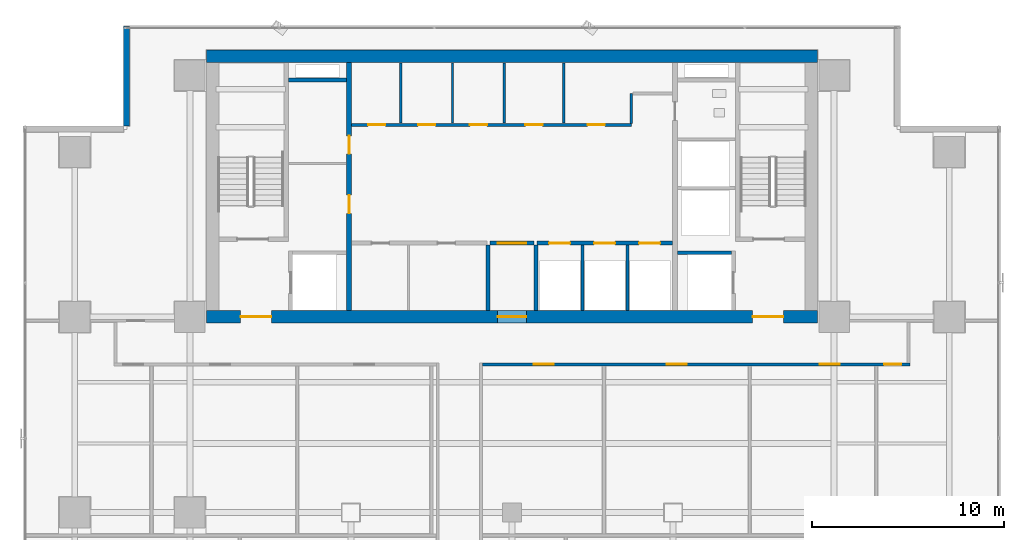
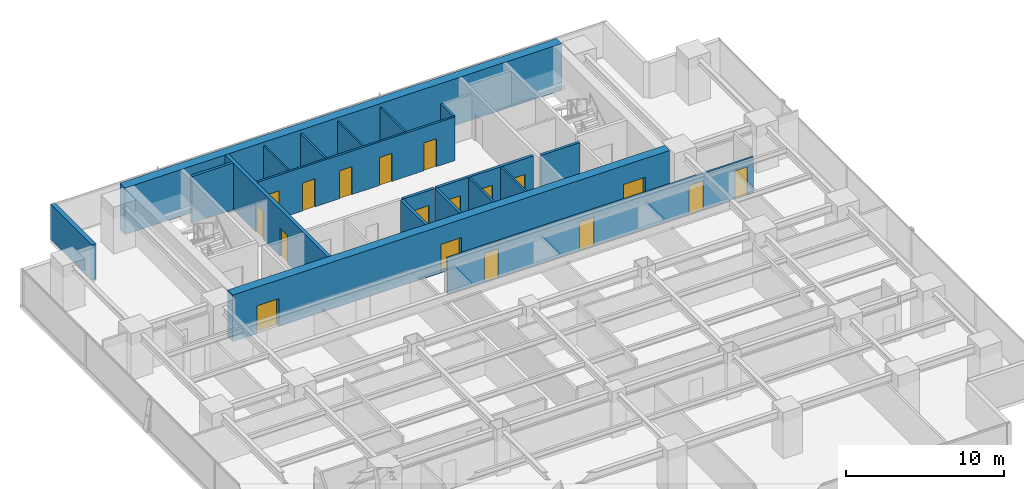
# One storey, part 29 of 37: 19 walls, 18 doors, 18 openings.
"""IFC4 building model written with IfcOpenShell, lengths in metres."""

from ifc_helpers import new_model, si_unit, direction, frame, frame_2d, origin, place, context, subcontext, project, spatial, rectangle, extrude, source, transform, mapped, material, layer, layer_set, type_object, element, fill, save


model = new_model("IFC4")

# Units and contexts
model_context = context("Model", 3, precision=1e-05, world=origin(), true_north=direction((0.0, 1.0)))
body_context = subcontext(model_context, "Body", "Model", "MODEL_VIEW")
ifc_project = project(units=[si_unit("LENGTHUNIT", "METRE"), si_unit("AREAUNIT", "SQUARE_METRE"), si_unit("VOLUMEUNIT", "CUBIC_METRE"), si_unit("PLANEANGLEUNIT", "RADIAN"), si_unit("MASSUNIT", "GRAM", prefix="KILO")], contexts=[model_context])

# Site, building, storey
site_placement = place(None, origin())
site = spatial("IfcSite", under=ifc_project, at=site_placement, CompositionType="ELEMENT")
building_placement = place(site_placement, origin())
building = spatial("IfcBuilding", under=site, at=building_placement, Name="Sumidabori Civic Tower", CompositionType="ELEMENT")
storey_placement = place(building_placement, frame((0.0, 0.0, 95.60009765625)))
storey = spatial("IfcBuildingStorey", under=building, at=storey_placement, Name="L24", CompositionType="ELEMENT", Elevation=95.60009765625)

# Walls
ifc_material_1 = material(Name="Concrete C50/60", Category="concrete")
ifc_layer_1 = layer(ifc_material_1, 0.199951171875, Name="Concrete C50/60")
ifc_layer_set_1 = layer_set([ifc_layer_1], Name="Concrete C50/60")
wall_type_1 = type_object("IfcWallType", Name="WL-SHAFT-200", PredefinedType="SHEAR", material=ifc_layer_set_1)
shared_shape_1 = source(origin(), body_context, "Body", "SweptSolid", [
    extrude(rectangle(XDim=2.824951171875, YDim=0.199951171875, at=frame_2d((1.41259765625, 0.0))), origin(), (0.0, 0.0, 1.0), 3.599853515625),
])
wall_1_placement = place(storey_placement, frame((8.625, 13.550048828125, 0.0), z_axis=(0.0, 0.0, 1.0), x_axis=(1.0, 0.0, 0.0)))
element("IfcWall", 1, at=wall_1_placement, inside=storey, type_object=wall_type_1, Name="Core Shear Wall L24 EL2-N", PredefinedType="SHEAR", context=body_context, shape_type="MappedRepresentation", body=[
    mapped(shared_shape_1, transform((0.0, 0.0, 0.0), x_axis=(1.0, 0.0, 0.0), y_axis=(0.0, 1.0, 0.0), z_axis=(0.0, 0.0, 1.0), scale=1.0)),
])
shared_shape_2 = source(origin(), body_context, "Body", "SweptSolid", [
    extrude(rectangle(XDim=3.02001953125, YDim=0.199951171875, at=frame_2d((1.510009765625, 0.0))), origin(), (0.0, 0.0, 1.0), 3.599853515625),
])
wall_2_placement = place(storey_placement, frame((-11.64501953125, 22.550048828125, 0.0), z_axis=(0.0, 0.0, 1.0), x_axis=(1.0, 0.0, 0.0)))
element("IfcWall", 2, at=wall_2_placement, inside=storey, type_object=wall_type_1, Name="Core Shear Wall L24 RIS1-S", PredefinedType="SHEAR", context=body_context, shape_type="MappedRepresentation", body=[
    mapped(shared_shape_2, transform((0.0, 0.0, 0.0), x_axis=(1.0, 0.0, 0.0), y_axis=(0.0, 1.0, 0.0), z_axis=(0.0, 0.0, 1.0), scale=1.0)),
])
ifc_material_2 = material(Name="Concrete C60/75", Category="concrete")
ifc_layer_2 = layer(ifc_material_2, 0.64990234375, Name="Concrete C60/75")
ifc_layer_set_2 = layer_set([ifc_layer_2], Name="Concrete C60/75")
wall_type_2 = type_object("IfcWallType", Name="WL-CORE-650", PredefinedType="SHEAR", material=ifc_layer_set_2)
shared_shape_3 = source(origin(), body_context, "Body", "SweptSolid", [
    extrude(rectangle(XDim=31.85009765625, YDim=0.64990234375, at=frame_2d((15.925048828125, 0.0))), origin(), (0.0, 0.0, 1.0), 3.599853515625),
])
wall_3_placement = place(storey_placement, frame((-15.925048828125, 23.800048828125, 0.0), z_axis=(0.0, 0.0, 1.0), x_axis=(1.0, 0.0, 0.0)))
element("IfcWall", 3, at=wall_3_placement, inside=storey, type_object=wall_type_2, Name="Core Shear Wall L24 N", PredefinedType="SHEAR", context=body_context, shape_type="MappedRepresentation", body=[
    mapped(shared_shape_3, transform((0.0, 0.0, 0.0), x_axis=(1.0, 0.0, 0.0), y_axis=(0.0, 1.0, 0.0), z_axis=(0.0, 0.0, 1.0), scale=1.0)),
])

# Wall, openings, doors
wall_4_placement = place(storey_placement, frame((-15.925048828125, 10.199951171875, 0.0), z_axis=(0.0, 0.0, 1.0), x_axis=(1.0, 0.0, 0.0)))
wall_4 = element("IfcWall", 4, at=wall_4_placement, inside=storey, type_object=wall_type_2, Name="Core Shear Wall L24 S", PredefinedType="SHEAR", context=body_context, shape_type="MappedRepresentation", body=[
    mapped(shared_shape_3, transform((0.0, 0.0, 0.0), x_axis=(1.0, 0.0, 0.0), y_axis=(0.0, 1.0, 0.0), z_axis=(0.0, 0.0, 1.0), scale=1.0)),
])
opening_1_placement = place(wall_4_placement, frame((1.77490234375, 0.0, 0.0)))
opening_1 = element("IfcOpeningElement", 5, at=opening_1_placement, cuts=wall_4, Name="Opening DR-FD4", PredefinedType="OPENING", context=body_context, shape_type="SweptSolid", body=[
    extrude(rectangle(XDim=1.60009765625, YDim=2.14990234375, at=frame_2d((0.800048828125, 1.074951171875))), frame((0.0, 0.3369140625, 0.0), z_axis=(0.0, -1.0, 0.0), x_axis=(1.0, 0.0, 0.0)), (0.0, 0.0, 1.0), 0.673828125),
])
opening_2_placement = place(wall_4_placement, frame((28.47509765625, 0.0, 0.0)))
opening_2 = element("IfcOpeningElement", 6, at=opening_2_placement, cuts=wall_4, Name="Opening DR-FD4", PredefinedType="OPENING", context=body_context, shape_type="SweptSolid", body=[
    extrude(rectangle(XDim=1.60009765625, YDim=2.14990234375, at=frame_2d((0.800048828125, 1.074951171875))), frame((0.0, 0.3369140625, 0.0), z_axis=(0.0, -1.0, 0.0), x_axis=(1.0, 0.0, 0.0)), (0.0, 0.0, 1.0), 0.673828125),
])
opening_3_placement = place(wall_4_placement, frame((15.175048828125, 0.0, 0.0)))
opening_3 = element("IfcOpeningElement", 7, at=opening_3_placement, cuts=wall_4, Name="Opening DR-FD3", PredefinedType="OPENING", context=body_context, shape_type="SweptSolid", body=[
    extrude(rectangle(XDim=1.5, YDim=2.199951171875, at=frame_2d((0.75, 1.10009765625))), frame((0.0, 0.3369140625, 0.0), z_axis=(0.0, -1.0, 0.0), x_axis=(1.0, 0.0, 0.0)), (0.0, 0.0, 1.0), 0.673828125),
])
ifc_material_3 = material(Name="Steel SN490", Category="steel")
door_type_1 = type_object("IfcDoorType", Name="DR-FD4", OperationType="DOUBLE_DOOR_SINGLE_SWING", PredefinedType="DOOR", material=ifc_material_3)
shared_shape_4 = source(origin(), body_context, "Body", "SweptSolid", [
    extrude(rectangle(XDim=1.60009765625, YDim=2.14990234375, at=frame_2d((0.800048828125, 1.074951171875))), frame((0.0, 0.02490234375, 0.0), z_axis=(0.0, -1.0, 0.0), x_axis=(1.0, 0.0, 0.0)), (0.0, 0.0, 1.0), 0.050048828125),
])
door_1_placement = place(opening_1_placement, origin())
door_1 = element("IfcDoor", 8, at=door_1_placement, inside=storey, type_object=door_type_1, Name="Door DR:L24:ELOB-W", OperationType="DOUBLE_DOOR_SINGLE_SWING", OverallHeight=2.14990234375, OverallWidth=1.60009765625, PredefinedType="DOOR", context=body_context, shape_type="MappedRepresentation", body=[
    mapped(shared_shape_4, transform((0.0, 0.0, 0.0), x_axis=(1.0, 0.0, 0.0), y_axis=(0.0, 1.0, 0.0), z_axis=(0.0, 0.0, 1.0), scale=1.0)),
])
fill(opening_1, door_1)
door_2_placement = place(opening_2_placement, origin())
door_2 = element("IfcDoor", 9, at=door_2_placement, inside=storey, type_object=door_type_1, Name="Door DR:L24:ELOB-E", OperationType="DOUBLE_DOOR_SINGLE_SWING", OverallHeight=2.14990234375, OverallWidth=1.60009765625, PredefinedType="DOOR", context=body_context, shape_type="MappedRepresentation", body=[
    mapped(shared_shape_4, transform((0.0, 0.0, 0.0), x_axis=(1.0, 0.0, 0.0), y_axis=(0.0, 1.0, 0.0), z_axis=(0.0, 0.0, 1.0), scale=1.0)),
])
fill(opening_2, door_2)
door_type_2 = type_object("IfcDoorType", Name="DR-FD-DBL", OperationType="DOUBLE_DOOR_SINGLE_SWING", PredefinedType="DOOR", material=ifc_material_3)
shared_shape_5 = source(origin(), body_context, "Body", "SweptSolid", [
    extrude(rectangle(XDim=1.5, YDim=2.199951171875, at=frame_2d((0.75, 1.10009765625))), frame((0.0, 0.02490234375, 0.0), z_axis=(0.0, -1.0, 0.0), x_axis=(1.0, 0.0, 0.0)), (0.0, 0.0, 1.0), 0.050048828125),
])
door_3_placement = place(opening_3_placement, origin())
door_3 = element("IfcDoor", 10, at=door_3_placement, inside=storey, type_object=door_type_2, Name="Door DR:L24:THROAT-OUT", OperationType="DOUBLE_DOOR_SINGLE_SWING", OverallHeight=2.199951171875, OverallWidth=1.5, PredefinedType="DOOR", context=body_context, shape_type="MappedRepresentation", body=[
    mapped(shared_shape_5, transform((0.0, 0.0, 0.0), x_axis=(1.0, 0.0, 0.0), y_axis=(0.0, 1.0, 0.0), z_axis=(0.0, 0.0, 1.0), scale=1.0)),
])
fill(opening_3, door_3)

ifc_layer_3 = layer(ifc_material_1, 0.25, Name="Concrete C50/60")
ifc_layer_set_3 = layer_set([ifc_layer_3], Name="Concrete C50/60")
wall_type_3 = type_object("IfcWallType", Name="WL-SHAFT-250", PredefinedType="SHEAR", material=ifc_layer_set_3)
shared_shape_6 = source(origin(), body_context, "Body", "SweptSolid", [
    extrude(rectangle(XDim=12.9501953125, YDim=0.25, at=frame_2d((6.47509765625, 0.0))), origin(), (0.0, 0.0, 1.0), 3.599853515625),
])
wall_5_placement = place(storey_placement, frame((-8.5, 10.52490234375, 0.0), z_axis=(0.0, 0.0, 1.0), x_axis=(0.0, 1.0, 0.0)))
wall_5 = element("IfcWall", 11, at=wall_5_placement, inside=storey, type_object=wall_type_3, Name="Core Shear Wall L24 WEB-W", PredefinedType="SHEAR", context=body_context, shape_type="MappedRepresentation", body=[
    mapped(shared_shape_6, transform((0.0, 0.0, 0.0), x_axis=(1.0, 0.0, 0.0), y_axis=(0.0, 1.0, 0.0), z_axis=(0.0, 0.0, 1.0), scale=1.0)),
])
opening_4_placement = place(wall_5_placement, frame((5.074951171875, 0.0, 0.0)))
opening_4 = element("IfcOpeningElement", 12, at=opening_4_placement, cuts=wall_5, Name="Opening DR-FD2", PredefinedType="OPENING", context=body_context, shape_type="SweptSolid", body=[
    extrude(rectangle(XDim=0.949951171875, YDim=2.14990234375, at=frame_2d((0.47509765625, 1.074951171875))), frame((0.0, 0.136962890625, 0.0), z_axis=(0.0, -1.0, 0.0), x_axis=(1.0, 0.0, 0.0)), (0.0, 0.0, 1.0), 0.27392578125),
])
opening_5_placement = place(wall_5_placement, frame((8.175048828125, 0.0, 0.0)))
opening_5 = element("IfcOpeningElement", 13, at=opening_5_placement, cuts=wall_5, Name="Opening DR-FD2", PredefinedType="OPENING", context=body_context, shape_type="SweptSolid", body=[
    extrude(rectangle(XDim=0.949951171875, YDim=2.14990234375, at=frame_2d((0.47509765625, 1.074951171875))), frame((0.0, 0.136962890625, 0.0), z_axis=(0.0, -1.0, 0.0), x_axis=(1.0, 0.0, 0.0)), (0.0, 0.0, 1.0), 0.27392578125),
])
door_type_3 = type_object("IfcDoorType", Name="DR-FD2", OperationType="NOTDEFINED", PredefinedType="DOOR", material=ifc_material_3)
shared_shape_7 = source(origin(), body_context, "Body", "SweptSolid", [
    extrude(rectangle(XDim=0.949951171875, YDim=2.14990234375, at=frame_2d((0.47509765625, 1.074951171875))), frame((0.0, 0.02490234375, 0.0), z_axis=(0.0, -1.0, 0.0), x_axis=(1.0, 0.0, 0.0)), (0.0, 0.0, 1.0), 0.050048828125),
])
door_4_placement = place(opening_4_placement, origin())
door_4 = element("IfcDoor", 14, at=door_4_placement, inside=storey, type_object=door_type_3, Name="Door DR:L24:CW-S1", OperationType="SINGLE_SWING_LEFT", OverallHeight=2.14990234375, OverallWidth=0.949951171875, PredefinedType="DOOR", context=body_context, shape_type="MappedRepresentation", body=[
    mapped(shared_shape_7, transform((0.0, 0.0, 0.0), x_axis=(1.0, 0.0, 0.0), y_axis=(0.0, 1.0, 0.0), z_axis=(0.0, 0.0, 1.0), scale=1.0)),
])
fill(opening_4, door_4)
door_5_placement = place(opening_5_placement, origin())
door_5 = element("IfcDoor", 15, at=door_5_placement, inside=storey, type_object=door_type_3, Name="Door DR:L24:CW-S2", OperationType="SINGLE_SWING_RIGHT", OverallHeight=2.14990234375, OverallWidth=0.949951171875, PredefinedType="DOOR", context=body_context, shape_type="MappedRepresentation", body=[
    mapped(shared_shape_7, transform((0.0, 0.0, 0.0), x_axis=(1.0, 0.0, 0.0), y_axis=(0.0, 1.0, 0.0), z_axis=(0.0, 0.0, 1.0), scale=1.0)),
])
fill(opening_5, door_5)

# Wall
ifc_material_4 = material(Name="Precast concrete C40/50", Category="concrete")
ifc_layer_4 = layer(ifc_material_4, 0.300048828125, Name="Precast concrete C40/50")
ifc_layer_set_4 = layer_set([ifc_layer_4], Name="Precast concrete C40/50")
wall_type_4 = type_object("IfcWallType", Name="WL-EXT-POD300", PredefinedType="STANDARD", material=ifc_layer_set_4)
shared_shape_8 = source(origin(), body_context, "Body", "SweptSolid", [
    extrude(rectangle(XDim=5.2099609375, YDim=0.300048828125, at=frame_2d((2.60498046875, 0.0))), origin(), (0.0, 0.0, 1.0), 2.739990234375),
])
wall_6_placement = place(storey_placement, frame((-20.10009765625, 25.3798828125, 0.0), z_axis=(0.0, 0.0, 1.0), x_axis=(0.0, -1.0, 0.0)))
element("IfcWall", 16, at=wall_6_placement, inside=storey, type_object=wall_type_4, Name="Notched Corner Spandrel Band L24-08", PredefinedType="STANDARD", context=body_context, shape_type="MappedRepresentation", body=[
    mapped(shared_shape_8, transform((0.0, 0.0, 0.0), x_axis=(1.0, 0.0, 0.0), y_axis=(0.0, 1.0, 0.0), z_axis=(0.0, 0.0, 1.0), scale=1.0)),
])

# Wall, openings, doors
ifc_material_5 = material(Name="Gypsum Plasterboard Fire Partition")
ifc_layer_5 = layer(ifc_material_5, 0.199951171875, Name="Gypsum Plasterboard Fire Partition")
ifc_layer_set_5 = layer_set([ifc_layer_5], Name="Gypsum Plasterboard Fire Partition")
wall_type_5 = type_object("IfcWallType", Name="WL-PART-FIRE", PredefinedType="PARTITIONING", material=ifc_layer_set_5)
shared_shape_9 = source(origin(), body_context, "Body", "SweptSolid", [
    extrude(rectangle(XDim=7.070068359375, YDim=0.199951171875, at=frame_2d((3.53515625, 0.0))), origin(), (0.0, 0.0, 1.0), 3.35986328125),
])
wall_7_placement = place(storey_placement, frame((1.300048828125, 14.050048828125, 0.0), z_axis=(0.0, 0.0, 1.0), x_axis=(1.0, 0.0, 0.0)))
wall_7 = element("IfcWall", 17, at=wall_7_placement, inside=storey, type_object=wall_type_5, Name="Interior Partition WL:L24:CBAND-SE", PredefinedType="PARTITIONING", context=body_context, shape_type="MappedRepresentation", body=[
    mapped(shared_shape_9, transform((0.0, 0.0, 0.0), x_axis=(1.0, 0.0, 0.0), y_axis=(0.0, 1.0, 0.0), z_axis=(0.0, 0.0, 1.0), scale=1.0)),
])
opening_6_placement = place(wall_7_placement, frame((0.6298828125, 0.0, 0.0)))
opening_6 = element("IfcOpeningElement", 18, at=opening_6_placement, cuts=wall_7, Name="Opening LD-1", PredefinedType="OPENING", context=body_context, shape_type="SweptSolid", body=[
    extrude(rectangle(XDim=1.10009765625, YDim=2.14990234375, at=frame_2d((0.550048828125, 1.074951171875))), frame((0.0, 0.11181640625, 0.0), z_axis=(0.0, -1.0, 0.0), x_axis=(1.0, 0.0, 0.0)), (0.0, 0.0, 1.0), 0.223876953125),
])
opening_7_placement = place(wall_7_placement, frame((2.97998046875, 0.0, 0.0)))
opening_7 = element("IfcOpeningElement", 19, at=opening_7_placement, cuts=wall_7, Name="Opening LD-1", PredefinedType="OPENING", context=body_context, shape_type="SweptSolid", body=[
    extrude(rectangle(XDim=1.10009765625, YDim=2.14990234375, at=frame_2d((0.550048828125, 1.074951171875))), frame((0.0, 0.11181640625, 0.0), z_axis=(0.0, -1.0, 0.0), x_axis=(1.0, 0.0, 0.0)), (0.0, 0.0, 1.0), 0.223876953125),
])
opening_8_placement = place(wall_7_placement, frame((5.330078125, 0.0, 0.0)))
opening_8 = element("IfcOpeningElement", 20, at=opening_8_placement, cuts=wall_7, Name="Opening LD-1", PredefinedType="OPENING", context=body_context, shape_type="SweptSolid", body=[
    extrude(rectangle(XDim=1.10009765625, YDim=2.14990234375, at=frame_2d((0.550048828125, 1.074951171875))), frame((0.0, 0.11181640625, 0.0), z_axis=(0.0, -1.0, 0.0), x_axis=(1.0, 0.0, 0.0)), (0.0, 0.0, 1.0), 0.223876953125),
])
ifc_material_6 = material(Name="Stainless Steel Hairline Finish", Category="steel")
door_type_4 = type_object("IfcDoorType", Name="DR-LD1", OperationType="DOUBLE_DOOR_SLIDING", PredefinedType="DOOR", material=ifc_material_6)
shared_shape_10 = source(origin(), body_context, "Body", "SweptSolid", [
    extrude(rectangle(XDim=1.10009765625, YDim=2.14990234375, at=frame_2d((0.550048828125, 1.074951171875))), frame((0.0, 0.02490234375, 0.0), z_axis=(0.0, -1.0, 0.0), x_axis=(1.0, 0.0, 0.0)), (0.0, 0.0, 1.0), 0.050048828125),
])
door_6_placement = place(opening_6_placement, origin())
door_6 = element("IfcDoor", 21, at=door_6_placement, inside=storey, type_object=door_type_4, Name="Door DR:L24:LD-PLM1", OperationType="DOUBLE_DOOR_SLIDING", OverallHeight=2.14990234375, OverallWidth=1.10009765625, PredefinedType="DOOR", context=body_context, shape_type="MappedRepresentation", body=[
    mapped(shared_shape_10, transform((0.0, 0.0, 0.0), x_axis=(1.0, 0.0, 0.0), y_axis=(0.0, 1.0, 0.0), z_axis=(0.0, 0.0, 1.0), scale=1.0)),
])
fill(opening_6, door_6)
door_7_placement = place(opening_7_placement, origin())
door_7 = element("IfcDoor", 22, at=door_7_placement, inside=storey, type_object=door_type_4, Name="Door DR:L24:LD-PLM2", OperationType="DOUBLE_DOOR_SLIDING", OverallHeight=2.14990234375, OverallWidth=1.10009765625, PredefinedType="DOOR", context=body_context, shape_type="MappedRepresentation", body=[
    mapped(shared_shape_10, transform((0.0, 0.0, 0.0), x_axis=(1.0, 0.0, 0.0), y_axis=(0.0, 1.0, 0.0), z_axis=(0.0, 0.0, 1.0), scale=1.0)),
])
fill(opening_7, door_7)
door_8_placement = place(opening_8_placement, origin())
door_8 = element("IfcDoor", 23, at=door_8_placement, inside=storey, type_object=door_type_4, Name="Door DR:L24:LD-PLM3", OperationType="DOUBLE_DOOR_SLIDING", OverallHeight=2.14990234375, OverallWidth=1.10009765625, PredefinedType="DOOR", context=body_context, shape_type="MappedRepresentation", body=[
    mapped(shared_shape_10, transform((0.0, 0.0, 0.0), x_axis=(1.0, 0.0, 0.0), y_axis=(0.0, 1.0, 0.0), z_axis=(0.0, 0.0, 1.0), scale=1.0)),
])
fill(opening_8, door_8)

# Wall, opening, door
shared_shape_11 = source(origin(), body_context, "Body", "SweptSolid", [
    extrude(rectangle(XDim=2.2998046875, YDim=0.199951171875, at=frame_2d((1.14990234375, 0.0))), origin(), (0.0, 0.0, 1.0), 3.35986328125),
])
wall_8_placement = place(storey_placement, frame((-1.14990234375, 14.050048828125, 0.0), z_axis=(0.0, 0.0, 1.0), x_axis=(1.0, 0.0, 0.0)))
wall_8 = element("IfcWall", 24, at=wall_8_placement, inside=storey, type_object=wall_type_5, Name="Interior Partition WL:L24:THROAT-N", PredefinedType="PARTITIONING", context=body_context, shape_type="MappedRepresentation", body=[
    mapped(shared_shape_11, transform((0.0, 0.0, 0.0), x_axis=(1.0, 0.0, 0.0), y_axis=(0.0, 1.0, 0.0), z_axis=(0.0, 0.0, 1.0), scale=1.0)),
])
opening_9_placement = place(wall_8_placement, frame((0.39990234375, 0.0, 0.0)))
opening_9 = element("IfcOpeningElement", 25, at=opening_9_placement, cuts=wall_8, Name="Opening DR-FD3", PredefinedType="OPENING", context=body_context, shape_type="SweptSolid", body=[
    extrude(rectangle(XDim=1.5, YDim=2.199951171875, at=frame_2d((0.75, 1.10009765625))), frame((0.0, 0.11181640625, 0.0), z_axis=(0.0, -1.0, 0.0), x_axis=(1.0, 0.0, 0.0)), (0.0, 0.0, 1.0), 0.223876953125),
])
door_9_placement = place(opening_9_placement, origin())
door_9 = element("IfcDoor", 26, at=door_9_placement, inside=storey, type_object=door_type_2, Name="Door DR:L24:THROAT-IN", OperationType="DOUBLE_DOOR_SINGLE_SWING", OverallHeight=2.199951171875, OverallWidth=1.5, PredefinedType="DOOR", context=body_context, shape_type="MappedRepresentation", body=[
    mapped(shared_shape_5, transform((0.0, 0.0, 0.0), x_axis=(1.0, 0.0, 0.0), y_axis=(0.0, 1.0, 0.0), z_axis=(0.0, 0.0, 1.0), scale=1.0)),
])
fill(opening_9, door_9)

# Wall, openings, doors
ifc_material_7 = material(Name="Gypsum Plasterboard Acoustic Partition")
ifc_layer_6 = layer(ifc_material_7, 0.14990234375, Name="Gypsum Plasterboard Acoustic Partition")
ifc_layer_set_6 = layer_set([ifc_layer_6], Name="Gypsum Plasterboard Acoustic Partition")
wall_type_6 = type_object("IfcWallType", Name="WL-PART-150", PredefinedType="PARTITIONING", material=ifc_layer_set_6)
shared_shape_12 = source(origin(), body_context, "Body", "SweptSolid", [
    extrude(rectangle(XDim=14.590087890625, YDim=0.14990234375, at=frame_2d((7.294921875, 0.0))), origin(), (0.0, 0.0, 1.0), 3.35986328125),
])
wall_9_placement = place(storey_placement, frame((-8.3701171875, 20.219970703125, 0.0), z_axis=(0.0, 0.0, 1.0), x_axis=(1.0, 0.0, 0.0)))
wall_9 = element("IfcWall", 27, at=wall_9_placement, inside=storey, type_object=wall_type_6, Name="Interior Partition WL:L24:CBAND-M", PredefinedType="PARTITIONING", context=body_context, shape_type="MappedRepresentation", body=[
    mapped(shared_shape_12, transform((0.0, 0.0, 0.0), x_axis=(1.0, 0.0, 0.0), y_axis=(0.0, 1.0, 0.0), z_axis=(0.0, 0.0, 1.0), scale=1.0)),
])
opening_10_placement = place(wall_9_placement, frame((0.860107421875, 0.0, 0.0)))
opening_10 = element("IfcOpeningElement", 28, at=opening_10_placement, cuts=wall_9, Name="Opening DR-1", PredefinedType="OPENING", context=body_context, shape_type="SweptSolid", body=[
    extrude(rectangle(XDim=0.89990234375, YDim=2.14990234375, at=frame_2d((0.449951171875, 1.074951171875))), frame((0.0, 0.0869140625, 0.0), z_axis=(0.0, -1.0, 0.0), x_axis=(1.0, 0.0, 0.0)), (0.0, 0.0, 1.0), 0.173828125),
])
opening_11_placement = place(wall_9_placement, frame((3.469970703125, 0.0, 0.0)))
opening_11 = element("IfcOpeningElement", 29, at=opening_11_placement, cuts=wall_9, Name="Opening DR-1", PredefinedType="OPENING", context=body_context, shape_type="SweptSolid", body=[
    extrude(rectangle(XDim=0.89990234375, YDim=2.14990234375, at=frame_2d((0.449951171875, 1.074951171875))), frame((0.0, 0.0869140625, 0.0), z_axis=(0.0, -1.0, 0.0), x_axis=(1.0, 0.0, 0.0)), (0.0, 0.0, 1.0), 0.173828125),
])
opening_12_placement = place(wall_9_placement, frame((6.169921875, 0.0, 0.0)))
opening_12 = element("IfcOpeningElement", 30, at=opening_12_placement, cuts=wall_9, Name="Opening DR-1", PredefinedType="OPENING", context=body_context, shape_type="SweptSolid", body=[
    extrude(rectangle(XDim=0.89990234375, YDim=2.14990234375, at=frame_2d((0.449951171875, 1.074951171875))), frame((0.0, 0.0869140625, 0.0), z_axis=(0.0, -1.0, 0.0), x_axis=(1.0, 0.0, 0.0)), (0.0, 0.0, 1.0), 0.173828125),
])
opening_13_placement = place(wall_9_placement, frame((9.070068359375, 0.0, 0.0)))
opening_13 = element("IfcOpeningElement", 31, at=opening_13_placement, cuts=wall_9, Name="Opening DR-1", PredefinedType="OPENING", context=body_context, shape_type="SweptSolid", body=[
    extrude(rectangle(XDim=0.89990234375, YDim=2.14990234375, at=frame_2d((0.449951171875, 1.074951171875))), frame((0.0, 0.0869140625, 0.0), z_axis=(0.0, -1.0, 0.0), x_axis=(1.0, 0.0, 0.0)), (0.0, 0.0, 1.0), 0.173828125),
])
opening_14_placement = place(wall_9_placement, frame((12.320068359375, 0.0, 0.0)))
opening_14 = element("IfcOpeningElement", 32, at=opening_14_placement, cuts=wall_9, Name="Opening DR-1", PredefinedType="OPENING", context=body_context, shape_type="SweptSolid", body=[
    extrude(rectangle(XDim=0.89990234375, YDim=2.14990234375, at=frame_2d((0.449951171875, 1.074951171875))), frame((0.0, 0.0869140625, 0.0), z_axis=(0.0, -1.0, 0.0), x_axis=(1.0, 0.0, 0.0)), (0.0, 0.0, 1.0), 0.173828125),
])
ifc_material_8 = material(Name="Japanese Hinoki Timber", Category="wood")
door_type_5 = type_object("IfcDoorType", Name="DR-INT-900", OperationType="NOTDEFINED", PredefinedType="DOOR", material=ifc_material_8)
shared_shape_13 = source(origin(), body_context, "Body", "SweptSolid", [
    extrude(rectangle(XDim=0.89990234375, YDim=2.14990234375, at=frame_2d((0.449951171875, 1.074951171875))), frame((0.0, 0.02490234375, 0.0), z_axis=(0.0, -1.0, 0.0), x_axis=(1.0, 0.0, 0.0)), (0.0, 0.0, 1.0), 0.050048828125),
])
door_10_placement = place(opening_10_placement, origin())
door_10 = element("IfcDoor", 33, at=door_10_placement, inside=storey, type_object=door_type_5, Name="Door DR:L24:CB-1", OperationType="SINGLE_SWING_LEFT", OverallHeight=2.14990234375, OverallWidth=0.89990234375, PredefinedType="DOOR", context=body_context, shape_type="MappedRepresentation", body=[
    mapped(shared_shape_13, transform((0.0, 0.0, 0.0), x_axis=(1.0, 0.0, 0.0), y_axis=(0.0, 1.0, 0.0), z_axis=(0.0, 0.0, 1.0), scale=1.0)),
])
fill(opening_10, door_10)
door_11_placement = place(opening_11_placement, origin())
door_11 = element("IfcDoor", 34, at=door_11_placement, inside=storey, type_object=door_type_5, Name="Door DR:L24:CB-2", OperationType="SINGLE_SWING_RIGHT", OverallHeight=2.14990234375, OverallWidth=0.89990234375, PredefinedType="DOOR", context=body_context, shape_type="MappedRepresentation", body=[
    mapped(shared_shape_13, transform((0.0, 0.0, 0.0), x_axis=(1.0, 0.0, 0.0), y_axis=(0.0, 1.0, 0.0), z_axis=(0.0, 0.0, 1.0), scale=1.0)),
])
fill(opening_11, door_11)
door_12_placement = place(opening_12_placement, origin())
door_12 = element("IfcDoor", 35, at=door_12_placement, inside=storey, type_object=door_type_5, Name="Door DR:L24:CB-3", OperationType="SINGLE_SWING_LEFT", OverallHeight=2.14990234375, OverallWidth=0.89990234375, PredefinedType="DOOR", context=body_context, shape_type="MappedRepresentation", body=[
    mapped(shared_shape_13, transform((0.0, 0.0, 0.0), x_axis=(1.0, 0.0, 0.0), y_axis=(0.0, 1.0, 0.0), z_axis=(0.0, 0.0, 1.0), scale=1.0)),
])
fill(opening_12, door_12)
door_13_placement = place(opening_13_placement, origin())
door_13 = element("IfcDoor", 36, at=door_13_placement, inside=storey, type_object=door_type_5, Name="Door DR:L24:CB-4", OperationType="SINGLE_SWING_RIGHT", OverallHeight=2.14990234375, OverallWidth=0.89990234375, PredefinedType="DOOR", context=body_context, shape_type="MappedRepresentation", body=[
    mapped(shared_shape_13, transform((0.0, 0.0, 0.0), x_axis=(1.0, 0.0, 0.0), y_axis=(0.0, 1.0, 0.0), z_axis=(0.0, 0.0, 1.0), scale=1.0)),
])
fill(opening_13, door_13)
door_14_placement = place(opening_14_placement, origin())
door_14 = element("IfcDoor", 37, at=door_14_placement, inside=storey, type_object=door_type_5, Name="Door DR:L24:CB-5", OperationType="SINGLE_SWING_LEFT", OverallHeight=2.14990234375, OverallWidth=0.89990234375, PredefinedType="DOOR", context=body_context, shape_type="MappedRepresentation", body=[
    mapped(shared_shape_13, transform((0.0, 0.0, 0.0), x_axis=(1.0, 0.0, 0.0), y_axis=(0.0, 1.0, 0.0), z_axis=(0.0, 0.0, 1.0), scale=1.0)),
])
fill(opening_14, door_14)

# Walls
shared_shape_14 = source(origin(), body_context, "Body", "SweptSolid", [
    extrude(rectangle(XDim=1.550048828125, YDim=0.14990234375, at=frame_2d((0.77490234375, 0.0))), origin(), (0.0, 0.0, 1.0), 3.35986328125),
])
wall_10_placement = place(storey_placement, frame((6.219970703125, 20.300048828125, 0.0), z_axis=(0.0, 0.0, 1.0), x_axis=(0.0, 1.0, 0.0)))
element("IfcWall", 38, at=wall_10_placement, inside=storey, type_object=wall_type_6, Name="Interior Partition WL:L24:CBAND-ME1", PredefinedType="PARTITIONING", context=body_context, shape_type="MappedRepresentation", body=[
    mapped(shared_shape_14, transform((0.0, 0.0, 0.0), x_axis=(1.0, 0.0, 0.0), y_axis=(0.0, 1.0, 0.0), z_axis=(0.0, 0.0, 1.0), scale=1.0)),
])
shared_shape_15 = source(origin(), body_context, "Body", "SweptSolid", [
    extrude(rectangle(XDim=3.4150390625, YDim=0.199951171875, at=frame_2d((1.70751953125, 0.0))), origin(), (0.0, 0.0, 1.0), 3.35986328125),
])
for number, where, z_axis, x_axis, name in (
    (39, (-1.25, 10.52490234375, 0.0), (0.0, 0.0, 1.0), (0.0, 1.0, 0.0), "Interior Partition WL:L24:THROAT-W"),
    (40, (1.25, 10.52490234375, 0.0), (0.0, 0.0, 1.0), (0.0, 1.0, 0.0), "Interior Partition WL:L24:THROAT-E"),
):
    element("IfcWall", number, at=place(storey_placement, frame(where, z_axis=z_axis, x_axis=x_axis)), inside=storey, type_object=wall_type_5, Name=name, PredefinedType="PARTITIONING", context=body_context, shape_type="MappedRepresentation", body=[
        mapped(shared_shape_15, transform((0.0, 0.0, 0.0), x_axis=(1.0, 0.0, 0.0), y_axis=(0.0, 1.0, 0.0), z_axis=(0.0, 0.0, 1.0), scale=1.0)),
    ])
shared_shape_16 = source(origin(), body_context, "Body", "SweptSolid", [
    extrude(rectangle(XDim=3.4150390625, YDim=0.14990234375, at=frame_2d((1.70751953125, 0.0))), origin(), (0.0, 0.0, 1.0), 3.35986328125),
])
for number, where, z_axis, x_axis, name in (
    (41, (3.669921875, 10.52490234375, 0.0), (0.0, 0.0, 1.0), (0.0, 1.0, 0.0), "Interior Partition WL:L24:DIV-PLM1"),
    (42, (6.02001953125, 10.52490234375, 0.0), (0.0, 0.0, 1.0), (0.0, 1.0, 0.0), "Interior Partition WL:L24:DIV-PLM2"),
):
    element("IfcWall", number, at=place(storey_placement, frame(where, z_axis=z_axis, x_axis=x_axis)), inside=storey, type_object=wall_type_6, Name=name, PredefinedType="PARTITIONING", context=body_context, shape_type="MappedRepresentation", body=[
        mapped(shared_shape_16, transform((0.0, 0.0, 0.0), x_axis=(1.0, 0.0, 0.0), y_axis=(0.0, 1.0, 0.0), z_axis=(0.0, 0.0, 1.0), scale=1.0)),
    ])
ifc_layer_7 = layer(ifc_material_7, 0.1201171875, Name="Gypsum Plasterboard Acoustic Partition")
ifc_layer_set_7 = layer_set([ifc_layer_7], Name="Gypsum Plasterboard Acoustic Partition")
wall_type_7 = type_object("IfcWallType", Name="WL-PART-120", PredefinedType="PARTITIONING", material=ifc_layer_set_7)
shared_shape_17 = source(origin(), body_context, "Body", "SweptSolid", [
    extrude(rectangle(XDim=3.114990234375, YDim=0.1201171875, at=frame_2d((1.5576171875, 0.0))), origin(), (0.0, 0.0, 1.0), 3.35986328125),
])
for number, where, z_axis, x_axis, name in (
    (43, (-5.800048828125, 20.320068359375, 0.0), (0.0, 0.0, 1.0), (0.0, 1.0, 0.0), "Interior Partition WL:L24:LV8-S1"),
    (44, (-3.10009765625, 20.320068359375, 0.0), (0.0, 0.0, 1.0), (0.0, 1.0, 0.0), "Interior Partition WL:L24:LV8-S2"),
    (45, (-0.39990234375, 20.320068359375, 0.0), (0.0, 0.0, 1.0), (0.0, 1.0, 0.0), "Interior Partition WL:L24:LV8-S3"),
    (46, (2.699951171875, 20.320068359375, 0.0), (0.0, 0.0, 1.0), (0.0, 1.0, 0.0), "Interior Partition WL:L24:LV8-S4"),
):
    element("IfcWall", number, at=place(storey_placement, frame(where, z_axis=z_axis, x_axis=x_axis)), inside=storey, type_object=wall_type_7, Name=name, PredefinedType="PARTITIONING", context=body_context, shape_type="MappedRepresentation", body=[
        mapped(shared_shape_17, transform((0.0, 0.0, 0.0), x_axis=(1.0, 0.0, 0.0), y_axis=(0.0, 1.0, 0.0), z_axis=(0.0, 0.0, 1.0), scale=1.0)),
    ])

# Wall, openings, doors
shared_shape_18 = source(origin(), body_context, "Body", "SweptSolid", [
    extrude(rectangle(XDim=22.300048828125, YDim=0.14990234375, at=frame_2d((11.14990234375, 0.0))), origin(), (0.0, 0.0, 1.0), 2.744873046875),
])
wall_11_placement = place(storey_placement, frame((-1.550048828125, 7.72509765625, 0.0), z_axis=(0.0, 0.0, 1.0), x_axis=(1.0, 0.0, 0.0)))
wall_11 = element("IfcWall", 47, at=wall_11_placement, inside=storey, type_object=wall_type_6, Name="Interior Partition WL:L24:CORR-SE", PredefinedType="PARTITIONING", context=body_context, shape_type="MappedRepresentation", body=[
    mapped(shared_shape_18, transform((0.0, 0.0, 0.0), x_axis=(1.0, 0.0, 0.0), y_axis=(0.0, 1.0, 0.0), z_axis=(0.0, 0.0, 1.0), scale=1.0)),
])
opening_15_placement = place(wall_11_placement, frame((20.952392578125, 0.0, 0.0)))
opening_15 = element("IfcOpeningElement", 48, at=opening_15_placement, cuts=wall_11, Name="Opening DR-1", PredefinedType="OPENING", context=body_context, shape_type="SweptSolid", body=[
    extrude(rectangle(XDim=0.89990234375, YDim=2.14990234375, at=frame_2d((0.449951171875, 1.074951171875))), frame((0.0, 0.0869140625, 0.0), z_axis=(0.0, -1.0, 0.0), x_axis=(1.0, 0.0, 0.0)), (0.0, 0.0, 1.0), 0.173828125),
])
opening_16_placement = place(wall_11_placement, frame((17.610107421875, 0.0, 0.0)))
opening_16 = element("IfcOpeningElement", 49, at=opening_16_placement, cuts=wall_11, Name="Opening DR-4", PredefinedType="OPENING", context=body_context, shape_type="SweptSolid", body=[
    extrude(rectangle(XDim=1.0400390625, YDim=2.199951171875, at=frame_2d((0.52001953125, 1.10009765625))), frame((0.0, 0.0869140625, 0.0), z_axis=(0.0, -1.0, 0.0), x_axis=(1.0, 0.0, 0.0)), (0.0, 0.0, 1.0), 0.173828125),
])
opening_17_placement = place(wall_11_placement, frame((2.677490234375, 0.0, 0.0)))
opening_17 = element("IfcOpeningElement", 50, at=opening_17_placement, cuts=wall_11, Name="Opening DR-4", PredefinedType="OPENING", context=body_context, shape_type="SweptSolid", body=[
    extrude(rectangle(XDim=1.0400390625, YDim=2.199951171875, at=frame_2d((0.52001953125, 1.10009765625))), frame((0.0, 0.0869140625, 0.0), z_axis=(0.0, -1.0, 0.0), x_axis=(1.0, 0.0, 0.0)), (0.0, 0.0, 1.0), 0.173828125),
])
opening_18_placement = place(wall_11_placement, frame((9.6298828125, 0.0, 0.0)))
opening_18 = element("IfcOpeningElement", 51, at=opening_18_placement, cuts=wall_11, Name="Opening DR-4", PredefinedType="OPENING", context=body_context, shape_type="SweptSolid", body=[
    extrude(rectangle(XDim=1.0400390625, YDim=2.199951171875, at=frame_2d((0.52001953125, 1.10009765625))), frame((0.0, 0.0869140625, 0.0), z_axis=(0.0, -1.0, 0.0), x_axis=(1.0, 0.0, 0.0)), (0.0, 0.0, 1.0), 0.173828125),
])
door_15_placement = place(opening_15_placement, origin())
door_15 = element("IfcDoor", 52, at=door_15_placement, inside=storey, type_object=door_type_5, Name="Door DR:L24:D03", OperationType="SINGLE_SWING_LEFT", OverallHeight=2.14990234375, OverallWidth=0.89990234375, PredefinedType="DOOR", context=body_context, shape_type="MappedRepresentation", body=[
    mapped(shared_shape_13, transform((0.0, 0.0, 0.0), x_axis=(1.0, 0.0, 0.0), y_axis=(0.0, 1.0, 0.0), z_axis=(0.0, 0.0, 1.0), scale=1.0)),
])
fill(opening_15, door_15)
door_type_6 = type_object("IfcDoorType", Name="DR-INT-1040", OperationType="NOTDEFINED", PredefinedType="DOOR", material=ifc_material_8)
shared_shape_19 = source(origin(), body_context, "Body", "SweptSolid", [
    extrude(rectangle(XDim=1.0400390625, YDim=2.199951171875, at=frame_2d((0.52001953125, 1.10009765625))), frame((0.0, 0.02490234375, 0.0), z_axis=(0.0, -1.0, 0.0), x_axis=(1.0, 0.0, 0.0)), (0.0, 0.0, 1.0), 0.050048828125),
])
door_16_placement = place(opening_16_placement, origin())
door_16 = element("IfcDoor", 53, at=door_16_placement, inside=storey, type_object=door_type_6, Name="Door DR:L24:D04", OperationType="SINGLE_SWING_RIGHT", OverallHeight=2.199951171875, OverallWidth=1.0400390625, PredefinedType="DOOR", context=body_context, shape_type="MappedRepresentation", body=[
    mapped(shared_shape_19, transform((0.0, 0.0, 0.0), x_axis=(1.0, 0.0, 0.0), y_axis=(0.0, 1.0, 0.0), z_axis=(0.0, 0.0, 1.0), scale=1.0)),
])
fill(opening_16, door_16)
door_17_placement = place(opening_17_placement, origin())
door_17 = element("IfcDoor", 54, at=door_17_placement, inside=storey, type_object=door_type_6, Name="Door DR:L24:D07", OperationType="SINGLE_SWING_LEFT", OverallHeight=2.199951171875, OverallWidth=1.0400390625, PredefinedType="DOOR", context=body_context, shape_type="MappedRepresentation", body=[
    mapped(shared_shape_19, transform((0.0, 0.0, 0.0), x_axis=(1.0, 0.0, 0.0), y_axis=(0.0, 1.0, 0.0), z_axis=(0.0, 0.0, 1.0), scale=1.0)),
])
fill(opening_17, door_17)
door_18_placement = place(opening_18_placement, origin())
door_18 = element("IfcDoor", 55, at=door_18_placement, inside=storey, type_object=door_type_6, Name="Door DR:L24:D08", OperationType="SINGLE_SWING_RIGHT", OverallHeight=2.199951171875, OverallWidth=1.0400390625, PredefinedType="DOOR", context=body_context, shape_type="MappedRepresentation", body=[
    mapped(shared_shape_19, transform((0.0, 0.0, 0.0), x_axis=(1.0, 0.0, 0.0), y_axis=(0.0, 1.0, 0.0), z_axis=(0.0, 0.0, 1.0), scale=1.0)),
])
fill(opening_18, door_18)

save(model, "model.ifc")
